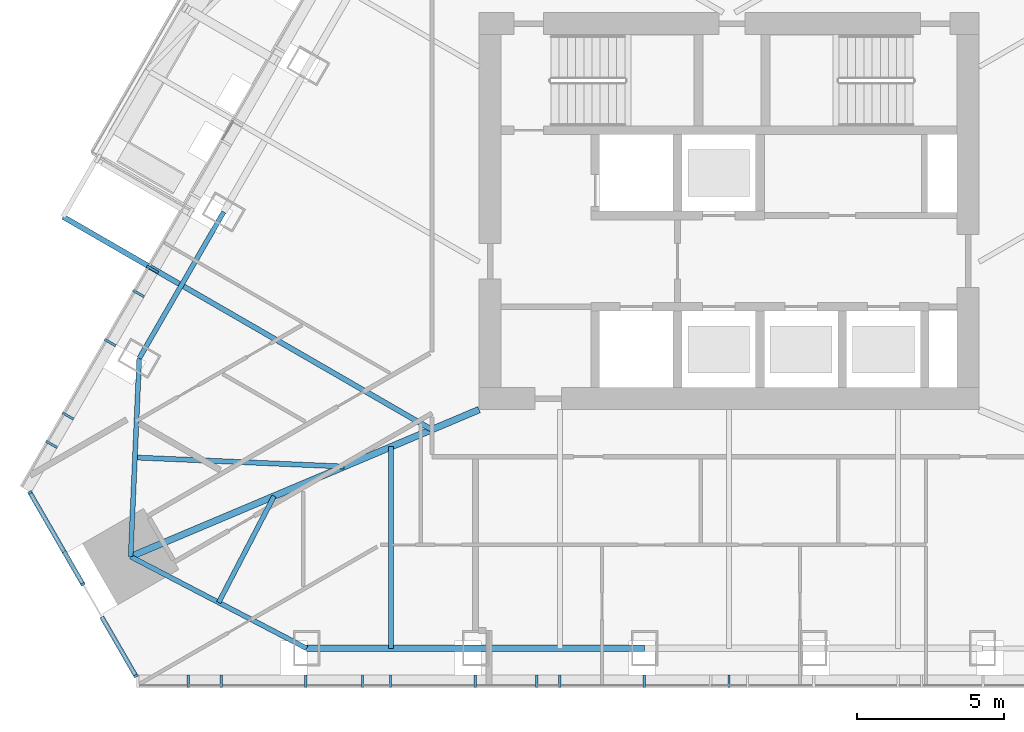
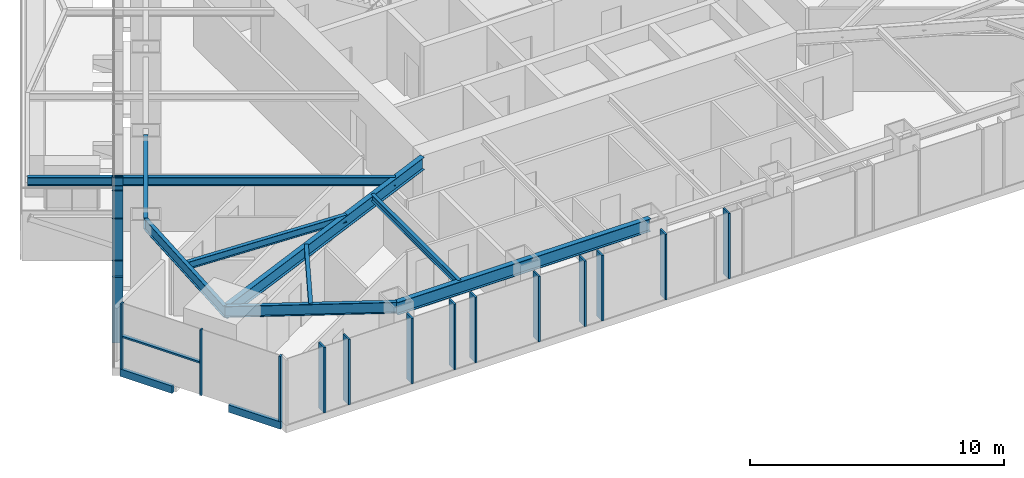
# One storey, part 2 of 16: 21 members, 9 beams, 3 elements without a shape of their own.
"""IFC4 building model written with IfcOpenShell, lengths in metres."""

from ifc_helpers import new_model, si_unit, direction, frame, origin, origin_2d, place, context, subcontext, project, spatial, rectangle, i_section, extrude, material, layer, layer_set, material_profile, profile_set, type_object, element, aggregate, save


model = new_model("IFC4")

# Units and contexts
model_context = context("Model", 3, precision=1e-05, world=origin(), true_north=direction((0.0, 1.0)))
body_context = subcontext(model_context, "Body", "Model", "MODEL_VIEW")
ifc_project = project(units=[si_unit("LENGTHUNIT", "METRE"), si_unit("AREAUNIT", "SQUARE_METRE"), si_unit("VOLUMEUNIT", "CUBIC_METRE"), si_unit("PLANEANGLEUNIT", "RADIAN"), si_unit("MASSUNIT", "GRAM", prefix="KILO")], contexts=[model_context])

# Site, building, storey
site_placement = place(None, origin())
site = spatial("IfcSite", under=ifc_project, at=site_placement, CompositionType="ELEMENT")
building_placement = place(site_placement, origin())
building = spatial("IfcBuilding", under=site, at=building_placement, Name="Firuza Gate Tower and Library", CompositionType="ELEMENT")
storey_placement = place(building_placement, frame((0.0, 0.0, 319.60009765625)))
storey = spatial("IfcBuildingStorey", under=building, at=storey_placement, Name="L78", CompositionType="ELEMENT", Elevation=319.60009765625)

# Curtain wall, members
ifc_material_1 = material(Name="Aluminium 6063-T6", Category="aluminium")
ifc_layer_1 = layer(ifc_material_1, 0.14990234375)
ifc_layer_set_1 = layer_set([ifc_layer_1], Name="Corner curtain wall, chamfers")
curtain_wall_type_1 = type_object("IfcCurtainWallType", Name="Corner curtain wall, chamfers", PredefinedType="NOTDEFINED", material=ifc_layer_set_1)
placement = place(storey_placement, origin())
curtain_wall_1 = element("IfcCurtainWall", 1, at=placement, inside=storey, type_object=curtain_wall_type_1, Name="CW4 L78 SW corner", PredefinedType="NOTDEFINED")
ifc_material_2 = material(Name="Aluminium 6063-T6", Category="aluminium")
ifc_material_profile_1 = material_profile(ifc_material_2, rectangle(XDim=0.14990234375, YDim=0.080078125, at=origin_2d()))
ifc_profile_set_1 = profile_set([ifc_material_profile_1], Name="Aluminium 6063-T6")
member_type_1 = type_object("IfcMemberType", Name="Curtain wall mullion 80x150", PredefinedType="MULLION", material=ifc_profile_set_1)
member_1_placement = place(storey_placement, frame((51.2294921875, 65.436767578125, 0.14990234375), z_axis=(0.0, 0.0, 1.0), x_axis=(0.866025403784, 0.5, 0.0)))
member_1 = element("IfcMember", 2, at=member_1_placement, type_object=member_type_1, Name="Mullion", PredefinedType="MULLION", context=body_context, shape_type="SweptSolid", body=[
    extrude(rectangle(XDim=0.14990234375, YDim=0.080078125, at=origin_2d()), origin(), (0.0, 0.0, 1.0), 3.14990234375),
])
member_2_placement = place(storey_placement, frame((53.031005859375, 62.316162109375, 0.14990234375), z_axis=(0.0, 0.0, 1.0), x_axis=(0.866025403784, 0.5, 0.0)))
member_2 = element("IfcMember", 3, at=member_2_placement, type_object=member_type_1, Name="Mullion", PredefinedType="MULLION", context=body_context, shape_type="SweptSolid", body=[
    extrude(rectangle(XDim=0.14990234375, YDim=0.080078125, at=origin_2d()), origin(), (0.0, 0.0, 1.0), 3.14990234375),
])
member_3_placement = place(storey_placement, frame((54.832763671875, 59.195556640625, 0.14990234375), z_axis=(0.0, 0.0, 1.0), x_axis=(0.866025403784, 0.5, 0.0)))
member_3 = element("IfcMember", 4, at=member_3_placement, type_object=member_type_1, Name="Mullion", PredefinedType="MULLION", context=body_context, shape_type="SweptSolid", body=[
    extrude(rectangle(XDim=0.14990234375, YDim=0.080078125, at=origin_2d()), origin(), (0.0, 0.0, 1.0), 3.14990234375),
])

ifc_material_3 = material(Name="Aluminium 6063-T6", Category="aluminium")
ifc_layer_2 = layer(ifc_material_3, 0.14990234375)
ifc_layer_set_2 = layer_set([ifc_layer_2], Name="Unitised curtain wall, residences")
curtain_wall_type_2 = type_object("IfcCurtainWallType", Name="Unitised curtain wall, residences", PredefinedType="NOTDEFINED", material=ifc_layer_set_2)
curtain_wall_2 = element("IfcCurtainWall", 5, at=placement, inside=storey, type_object=curtain_wall_type_2, Name="CW3 L78 S face", PredefinedType="NOTDEFINED")
ifc_material_4 = material(Name="Aluminium 6063-T6", Category="aluminium")
ifc_material_profile_2 = material_profile(ifc_material_4, rectangle(XDim=0.43994140625, YDim=0.080078125, at=origin_2d()))
ifc_profile_set_2 = profile_set([ifc_material_profile_2], Name="Aluminium 6063-T6")
member_type_2 = type_object("IfcMemberType", Name="Curtain wall mullion 80x440", PredefinedType="MULLION", material=ifc_profile_set_2)
member_4_placement = place(storey_placement, frame((57.73095703125, 59.01611328125, 0.14990234375), z_axis=(0.0, 0.0, 1.0), x_axis=(0.0, 1.0, 0.0)))
member_4 = element("IfcMember", 6, at=member_4_placement, type_object=member_type_2, Name="Mullion", PredefinedType="MULLION", context=body_context, shape_type="SweptSolid", body=[
    extrude(rectangle(XDim=0.43994140625, YDim=0.080078125, at=origin_2d()), origin(), (0.0, 0.0, 1.0), 3.14990234375),
])
member_5_placement = place(storey_placement, frame((60.609130859375, 59.01611328125, 0.14990234375), z_axis=(0.0, 0.0, 1.0), x_axis=(0.0, 1.0, 0.0)))
member_5 = element("IfcMember", 7, at=member_5_placement, type_object=member_type_2, Name="Mullion", PredefinedType="MULLION", context=body_context, shape_type="SweptSolid", body=[
    extrude(rectangle(XDim=0.43994140625, YDim=0.080078125, at=origin_2d()), origin(), (0.0, 0.0, 1.0), 3.14990234375),
])
member_6_placement = place(storey_placement, frame((63.4873046875, 59.01611328125, 0.14990234375), z_axis=(0.0, 0.0, 1.0), x_axis=(0.0, 1.0, 0.0)))
member_6 = element("IfcMember", 8, at=member_6_placement, type_object=member_type_2, Name="Mullion", PredefinedType="MULLION", context=body_context, shape_type="SweptSolid", body=[
    extrude(rectangle(XDim=0.43994140625, YDim=0.080078125, at=origin_2d()), origin(), (0.0, 0.0, 1.0), 3.14990234375),
])
member_7_placement = place(storey_placement, frame((66.365478515625, 59.01611328125, 0.14990234375), z_axis=(0.0, 0.0, 1.0), x_axis=(0.0, 1.0, 0.0)))
member_7 = element("IfcMember", 9, at=member_7_placement, type_object=member_type_2, Name="Mullion", PredefinedType="MULLION", context=body_context, shape_type="SweptSolid", body=[
    extrude(rectangle(XDim=0.43994140625, YDim=0.080078125, at=origin_2d()), origin(), (0.0, 0.0, 1.0), 3.14990234375),
])
member_8_placement = place(storey_placement, frame((69.24365234375, 59.01611328125, 0.14990234375), z_axis=(0.0, 0.0, 1.0), x_axis=(0.0, 1.0, 0.0)))
member_8 = element("IfcMember", 10, at=member_8_placement, type_object=member_type_2, Name="Mullion", PredefinedType="MULLION", context=body_context, shape_type="SweptSolid", body=[
    extrude(rectangle(XDim=0.43994140625, YDim=0.080078125, at=origin_2d()), origin(), (0.0, 0.0, 1.0), 3.14990234375),
])
member_9_placement = place(storey_placement, frame((72.121826171875, 59.01611328125, 0.14990234375), z_axis=(0.0, 0.0, 1.0), x_axis=(0.0, 1.0, 0.0)))
member_9 = element("IfcMember", 11, at=member_9_placement, type_object=member_type_2, Name="Mullion", PredefinedType="MULLION", context=body_context, shape_type="SweptSolid", body=[
    extrude(rectangle(XDim=0.43994140625, YDim=0.080078125, at=origin_2d()), origin(), (0.0, 0.0, 1.0), 3.14990234375),
])
member_10_placement = place(storey_placement, frame((75.0, 59.01611328125, 0.14990234375), z_axis=(0.0, 0.0, 1.0), x_axis=(0.0, 1.0, 0.0)))
member_10 = element("IfcMember", 12, at=member_10_placement, type_object=member_type_2, Name="Mullion", PredefinedType="MULLION", context=body_context, shape_type="SweptSolid", body=[
    extrude(rectangle(XDim=0.43994140625, YDim=0.080078125, at=origin_2d()), origin(), (0.0, 0.0, 1.0), 3.14990234375),
])
member_11_placement = place(storey_placement, frame((56.615478515625, 59.01611328125, 0.14990234375), z_axis=(0.0, 0.0, 1.0), x_axis=(0.0, 1.0, 0.0)))
member_11 = element("IfcMember", 13, at=member_11_placement, type_object=member_type_2, Name="Mullion", PredefinedType="MULLION", context=body_context, shape_type="SweptSolid", body=[
    extrude(rectangle(XDim=0.43994140625, YDim=0.080078125, at=origin_2d()), origin(), (0.0, 0.0, 1.0), 3.14990234375),
])
member_12_placement = place(storey_placement, frame((62.53564453125, 59.01611328125, 0.14990234375), z_axis=(0.0, 0.0, 1.0), x_axis=(0.0, 1.0, 0.0)))
member_12 = element("IfcMember", 14, at=member_12_placement, type_object=member_type_2, Name="Mullion", PredefinedType="MULLION", context=body_context, shape_type="SweptSolid", body=[
    extrude(rectangle(XDim=0.43994140625, YDim=0.080078125, at=origin_2d()), origin(), (0.0, 0.0, 1.0), 3.14990234375),
])
member_13_placement = place(storey_placement, frame((68.45556640625, 59.01611328125, 0.14990234375), z_axis=(0.0, 0.0, 1.0), x_axis=(0.0, 1.0, 0.0)))
member_13 = element("IfcMember", 15, at=member_13_placement, type_object=member_type_2, Name="Mullion", PredefinedType="MULLION", context=body_context, shape_type="SweptSolid", body=[
    extrude(rectangle(XDim=0.43994140625, YDim=0.080078125, at=origin_2d()), origin(), (0.0, 0.0, 1.0), 3.14990234375),
])
aggregate(curtain_wall_2, [member_4, member_5, member_6, member_7, member_8, member_9, member_10, member_11, member_12, member_13])

curtain_wall_3 = element("IfcCurtainWall", 16, at=placement, inside=storey, type_object=curtain_wall_type_2, Name="CW3 L78 W face", PredefinedType="NOTDEFINED")
member_14_placement = place(storey_placement, frame((55.401123046875, 73.021728515625, 0.14990234375), z_axis=(0.0, 0.0, 1.0), x_axis=(0.866025403784, -0.5, 0.0)))
member_14 = element("IfcMember", 17, at=member_14_placement, type_object=member_type_2, Name="Mullion", PredefinedType="MULLION", context=body_context, shape_type="SweptSolid", body=[
    extrude(rectangle(XDim=0.43994140625, YDim=0.080078125, at=origin_2d()), origin(), (0.0, 0.0, 1.0), 3.14990234375),
])
member_15_placement = place(storey_placement, frame((53.9619140625, 70.529052734375, 0.14990234375), z_axis=(0.0, 0.0, 1.0), x_axis=(0.866025403784, -0.5, 0.0)))
member_15 = element("IfcMember", 18, at=member_15_placement, type_object=member_type_2, Name="Mullion", PredefinedType="MULLION", context=body_context, shape_type="SweptSolid", body=[
    extrude(rectangle(XDim=0.43994140625, YDim=0.080078125, at=origin_2d()), origin(), (0.0, 0.0, 1.0), 3.14990234375),
])
member_16_placement = place(storey_placement, frame((52.52294921875, 68.036376953125, 0.14990234375), z_axis=(0.0, 0.0, 1.0), x_axis=(0.866025403784, -0.5, 0.0)))
member_16 = element("IfcMember", 19, at=member_16_placement, type_object=member_type_2, Name="Mullion", PredefinedType="MULLION", context=body_context, shape_type="SweptSolid", body=[
    extrude(rectangle(XDim=0.43994140625, YDim=0.080078125, at=origin_2d()), origin(), (0.0, 0.0, 1.0), 3.14990234375),
])
member_17_placement = place(storey_placement, frame((54.92529296875, 72.197509765625, 0.14990234375), z_axis=(0.0, 0.0, 1.0), x_axis=(0.866025403784, -0.5, 0.0)))
member_17 = element("IfcMember", 20, at=member_17_placement, type_object=member_type_2, Name="Mullion", PredefinedType="MULLION", context=body_context, shape_type="SweptSolid", body=[
    extrude(rectangle(XDim=0.43994140625, YDim=0.080078125, at=origin_2d()), origin(), (0.0, 0.0, 1.0), 3.14990234375),
])
member_18_placement = place(storey_placement, frame((51.96533203125, 67.070556640625, 0.14990234375), z_axis=(0.0, 0.0, 1.0), x_axis=(0.866025403784, -0.5, 0.0)))
member_18 = element("IfcMember", 21, at=member_18_placement, type_object=member_type_2, Name="Mullion", PredefinedType="MULLION", context=body_context, shape_type="SweptSolid", body=[
    extrude(rectangle(XDim=0.43994140625, YDim=0.080078125, at=origin_2d()), origin(), (0.0, 0.0, 1.0), 3.14990234375),
])
aggregate(curtain_wall_3, [member_14, member_15, member_16, member_17, member_18])

# Member
ifc_material_5 = material(Name="Aluminium 6063-T6", Category="aluminium")
ifc_material_profile_3 = material_profile(ifc_material_5, rectangle(XDim=0.14990234375, YDim=0.35009765625, at=origin_2d()))
ifc_profile_set_3 = profile_set([ifc_material_profile_3], Name="Aluminium 6063-T6")
member_type_3 = type_object("IfcMemberType", Name="Curtain wall transom 350x150", PredefinedType="USERDEFINED", material=ifc_profile_set_3)
member_19_placement = place(storey_placement, frame((51.20947265625, 65.471435546875, -0.025146484375), z_axis=(0.500005632288, -0.866022151957, 0.0), x_axis=(0.866022151957, 0.500005632288, 0.0)))
member_19 = element("IfcMember", 22, at=member_19_placement, type_object=member_type_3, Name="Transom", ObjectType="TRANSOM", PredefinedType="USERDEFINED", context=body_context, shape_type="SweptSolid", body=[
    extrude(rectangle(XDim=0.14990234375, YDim=0.35009765625, at=origin_2d()), origin(), (0.0, 0.0, 1.0), 2.36328125),
])

member_20_placement = place(storey_placement, frame((53.671142578125, 61.207763671875, -0.025146484375), z_axis=(0.500005632288, -0.866022151957, 0.0), x_axis=(0.866022151957, 0.500005632288, 0.0)))
member_20 = element("IfcMember", 23, at=member_20_placement, type_object=member_type_3, Name="Transom", ObjectType="TRANSOM", PredefinedType="USERDEFINED", context=body_context, shape_type="SweptSolid", body=[
    extrude(rectangle(XDim=0.14990234375, YDim=0.35009765625, at=origin_2d()), origin(), (0.0, 0.0, 1.0), 2.36328125),
])

ifc_material_6 = material(Name="Aluminium 6063-T6", Category="aluminium")
ifc_material_profile_4 = material_profile(ifc_material_6, rectangle(XDim=0.14990234375, YDim=0.080078125, at=origin_2d()))
ifc_profile_set_4 = profile_set([ifc_material_profile_4], Name="Aluminium 6063-T6")
member_type_4 = type_object("IfcMemberType", Name="Curtain wall transom 80x150", PredefinedType="USERDEFINED", material=ifc_profile_set_4)
member_21_placement = place(storey_placement, frame((51.2294921875, 65.436767578125, 1.724853515625), z_axis=(0.49996364809, -0.866046390552, 0.0), x_axis=(0.866046390552, 0.49996364809, 0.0)))
member_21 = element("IfcMember", 24, at=member_21_placement, type_object=member_type_4, Name="Transom", ObjectType="TRANSOM", PredefinedType="USERDEFINED", context=body_context, shape_type="SweptSolid", body=[
    extrude(rectangle(XDim=0.14990234375, YDim=0.080078125, at=origin_2d()), origin(), (0.0, 0.0, 1.0), 3.563232421875),
])

aggregate(curtain_wall_1, [member_1, member_2, member_3, member_19, member_20, member_21])

# Beams
ifc_material_7 = material(Name="Steel S355", Category="steel")
ifc_material_profile_5 = material_profile(ifc_material_7, i_section(OverallWidth=0.1650390625, OverallDepth=0.31005859375, WebThickness=0.005859375, FlangeThickness=0.009765625, at=origin_2d()))
ifc_profile_set_5 = profile_set([ifc_material_profile_5], Name="Steel S355")
beam_type_1 = type_object("IfcBeamType", Name="W310x39 Floor beam", PredefinedType="JOIST", material=ifc_profile_set_5)
beam_1_placement = place(storey_placement, frame((57.6474609375, 61.69482421875, 3.14501953125), z_axis=(0.461980546122, 0.886890058014, 0.0), x_axis=(-0.886890058014, 0.461980546122, 0.0)))
element("IfcBeam", 25, at=beam_1_placement, inside=storey, type_object=beam_type_1, Name="Floor beam L78 s10", PredefinedType="JOIST", context=body_context, shape_type="SweptSolid", body=[
    extrude(i_section(OverallWidth=0.1650390625, OverallDepth=0.31005859375, WebThickness=0.005859375, FlangeThickness=0.009765625, at=origin_2d()), origin(), (0.0, 0.0, 1.0), 4.07666015625),
])
beam_2_placement = place(storey_placement, frame((63.511962890625, 60.135986328125, 3.14501953125), z_axis=(0.0, 1.0, 0.0), x_axis=(-1.0, 0.0, 0.0)))
element("IfcBeam", 26, at=beam_2_placement, inside=storey, type_object=beam_type_1, Name="Floor beam L78 s20", PredefinedType="JOIST", context=body_context, shape_type="SweptSolid", body=[
    extrude(i_section(OverallWidth=0.1650390625, OverallDepth=0.31005859375, WebThickness=0.005859375, FlangeThickness=0.009765625, at=origin_2d()), origin(), (0.0, 0.0, 1.0), 6.853759765625),
])
ifc_material_8 = material(Name="Steel S355", Category="steel")
ifc_material_profile_6 = material_profile(ifc_material_8, i_section(OverallWidth=0.1708984375, OverallDepth=0.35498046875, WebThickness=0.007080078125, FlangeThickness=0.01171875, at=origin_2d()))
ifc_profile_set_6 = profile_set([ifc_material_profile_6], Name="Steel S355")
beam_type_2 = type_object("IfcBeamType", Name="W360x51 Floor beam", PredefinedType="JOIST", material=ifc_profile_set_6)
beam_3_placement = place(storey_placement, frame((54.801025390625, 66.624755859375, 3.122314453125), z_axis=(0.999060487653, -0.043337535825, 0.0), x_axis=(0.043337535825, 0.999060487653, 0.0)))
element("IfcBeam", 27, at=beam_3_placement, inside=storey, type_object=beam_type_2, Name="Floor beam L78 s00", PredefinedType="JOIST", context=body_context, shape_type="SweptSolid", body=[
    extrude(i_section(OverallWidth=0.1708984375, OverallDepth=0.35498046875, WebThickness=0.007080078125, FlangeThickness=0.01171875, at=origin_2d()), origin(), (0.0, 0.0, 1.0), 7.12060546875),
])
ifc_material_9 = material(Name="Steel S355", Category="steel")
ifc_material_profile_7 = material_profile(ifc_material_9, i_section(OverallWidth=0.177978515625, OverallDepth=0.406982421875, WebThickness=0.0078125, FlangeThickness=0.0126953125, at=origin_2d()))
ifc_profile_set_7 = profile_set([ifc_material_profile_7], Name="Steel S355")
beam_type_3 = type_object("IfcBeamType", Name="W410x60 Floor beam", PredefinedType="JOIST", material=ifc_profile_set_7)
beam_4_placement = place(storey_placement, frame((52.3564453125, 74.80810546875, 3.096435546875), z_axis=(0.86602350596, -0.500003287113, 0.0), x_axis=(0.500003287113, 0.86602350596, 0.0)))
element("IfcBeam", 28, at=beam_4_placement, inside=storey, type_object=beam_type_3, Name="Floor beam L78 s84", PredefinedType="JOIST", context=body_context, shape_type="SweptSolid", body=[
    extrude(i_section(OverallWidth=0.177978515625, OverallDepth=0.406982421875, WebThickness=0.0078125, FlangeThickness=0.0126953125, at=origin_2d()), origin(), (0.0, 0.0, 1.0), 14.4736328125),
])
ifc_material_10 = material(Name="Steel S355", Category="steel")
ifc_material_profile_8 = material_profile(ifc_material_10, i_section(OverallWidth=0.166015625, OverallDepth=0.534912109375, WebThickness=0.01025390625, FlangeThickness=0.0166015625, at=origin_2d()))
ifc_profile_set_8 = profile_set([ifc_material_profile_8], Name="Steel S355")
beam_type_4 = type_object("IfcBeamType", Name="W530x85 Edge beam", PredefinedType="SPANDREL", material=ifc_profile_set_8)
for number, where, z_axis, x_axis, name in (
    (29, (54.947509765625, 69.995849609375, 3.032470703125), (-0.043375996648, -0.999058818546, 0.0), (0.999058818546, -0.043375996648, 0.0), "Edge beam L78 e00"),
    (30, (54.65478515625, 63.253662109375, 3.032470703125), (0.886887835935, -0.461984811947, 0.0), (0.461984811947, 0.886887835935, 0.0), "Edge beam L78 e10"),
):
    element("IfcBeam", number, at=place(storey_placement, frame(where, z_axis=z_axis, x_axis=x_axis)), inside=storey, type_object=beam_type_4, Name=name, PredefinedType="SPANDREL", context=body_context, shape_type="SweptSolid", body=[
        extrude(i_section(OverallWidth=0.166015625, OverallDepth=0.534912109375, WebThickness=0.01025390625, FlangeThickness=0.0166015625, at=origin_2d()), origin(), (0.0, 0.0, 1.0), 6.74853515625),
    ])
beam_5_placement = place(storey_placement, frame((57.8193359375, 74.97021484375, 3.032470703125), z_axis=(-0.499983686533, -0.866034822164, 0.0), x_axis=(0.866034822164, -0.499983686533, 0.0)))
element("IfcBeam", 31, at=beam_5_placement, inside=storey, type_object=beam_type_4, Name="Edge beam L78 e84", PredefinedType="SPANDREL", context=body_context, shape_type="SweptSolid", body=[
    extrude(i_section(OverallWidth=0.166015625, OverallDepth=0.534912109375, WebThickness=0.01025390625, FlangeThickness=0.0166015625, at=origin_2d()), origin(), (0.0, 0.0, 1.0), 5.743896484375),
])
ifc_material_11 = material(Name="Steel S355", Category="steel")
ifc_material_profile_9 = material_profile(ifc_material_11, i_section(OverallWidth=0.22802734375, OverallDepth=0.60302734375, WebThickness=0.010498046875, FlangeThickness=0.014892578125, at=origin_2d()))
ifc_profile_set_9 = profile_set([ifc_material_profile_9], Name="Steel S355")
beam_type_5 = type_object("IfcBeamType", Name="W610x101 Girder", PredefinedType="BEAM", material=ifc_profile_set_9)
beam_6_placement = place(storey_placement, frame((54.65478515625, 63.253662109375, 2.998291015625), z_axis=(0.921388175971, 0.388643576018, 0.0), x_axis=(-0.388643576018, 0.921388175971, 0.0)))
element("IfcBeam", 32, at=beam_6_placement, inside=storey, type_object=beam_type_5, Name="Girder L78 gSW", PredefinedType="BEAM", context=body_context, shape_type="SweptSolid", body=[
    extrude(i_section(OverallWidth=0.22802734375, OverallDepth=0.60302734375, WebThickness=0.010498046875, FlangeThickness=0.014892578125, at=origin_2d()), origin(), (0.0, 0.0, 1.0), 12.85595703125),
])
ifc_material_12 = material(Name="Steel S355", Category="steel")
ifc_material_profile_10 = material_profile(ifc_material_12, i_section(OverallWidth=0.22900390625, OverallDepth=0.612060546875, WebThickness=0.011962890625, FlangeThickness=0.01953125, at=origin_2d()))
ifc_profile_set_10 = profile_set([ifc_material_profile_10], Name="Steel S355")
beam_type_6 = type_object("IfcBeamType", Name="W610x125 Edge beam", PredefinedType="SPANDREL", material=ifc_profile_set_10)
beam_7_placement = place(storey_placement, frame((60.639892578125, 60.135986328125, 2.993896484375), z_axis=(1.0, 0.0, 0.0), x_axis=(0.0, 1.0, 0.0)))
element("IfcBeam", 33, at=beam_7_placement, inside=storey, type_object=beam_type_6, Name="Edge beam L78 e20", PredefinedType="SPANDREL", context=body_context, shape_type="SweptSolid", body=[
    extrude(i_section(OverallWidth=0.22900390625, OverallDepth=0.612060546875, WebThickness=0.011962890625, FlangeThickness=0.01953125, at=origin_2d()), origin(), (0.0, 0.0, 1.0), 11.488037109375),
])

save(model, "model.ifc")
